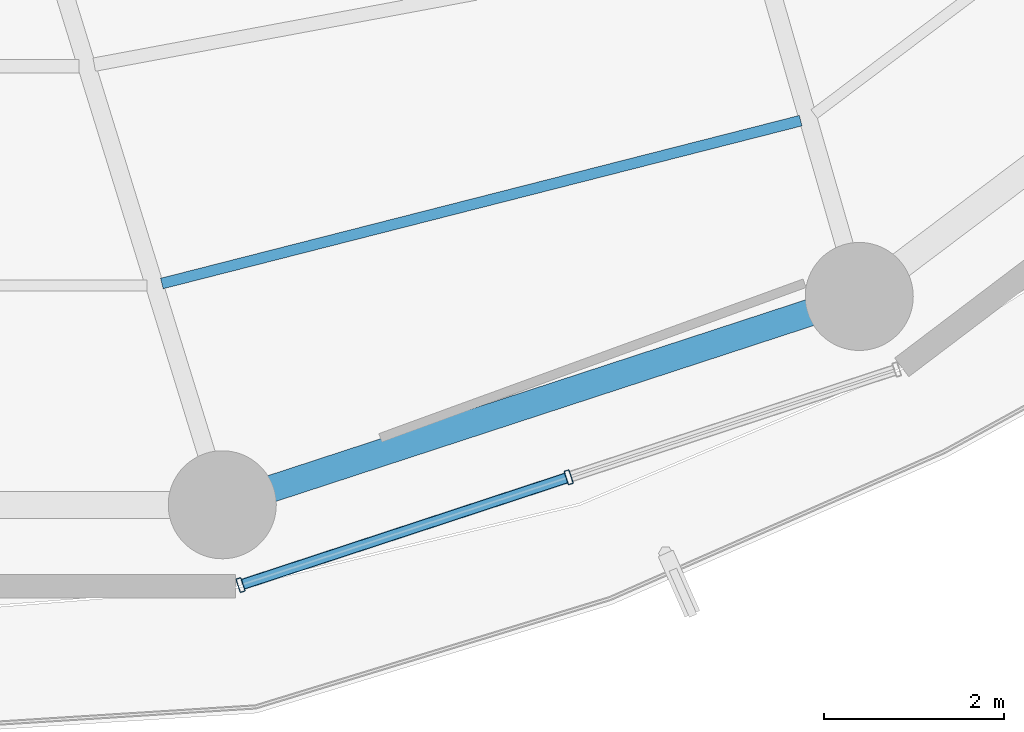
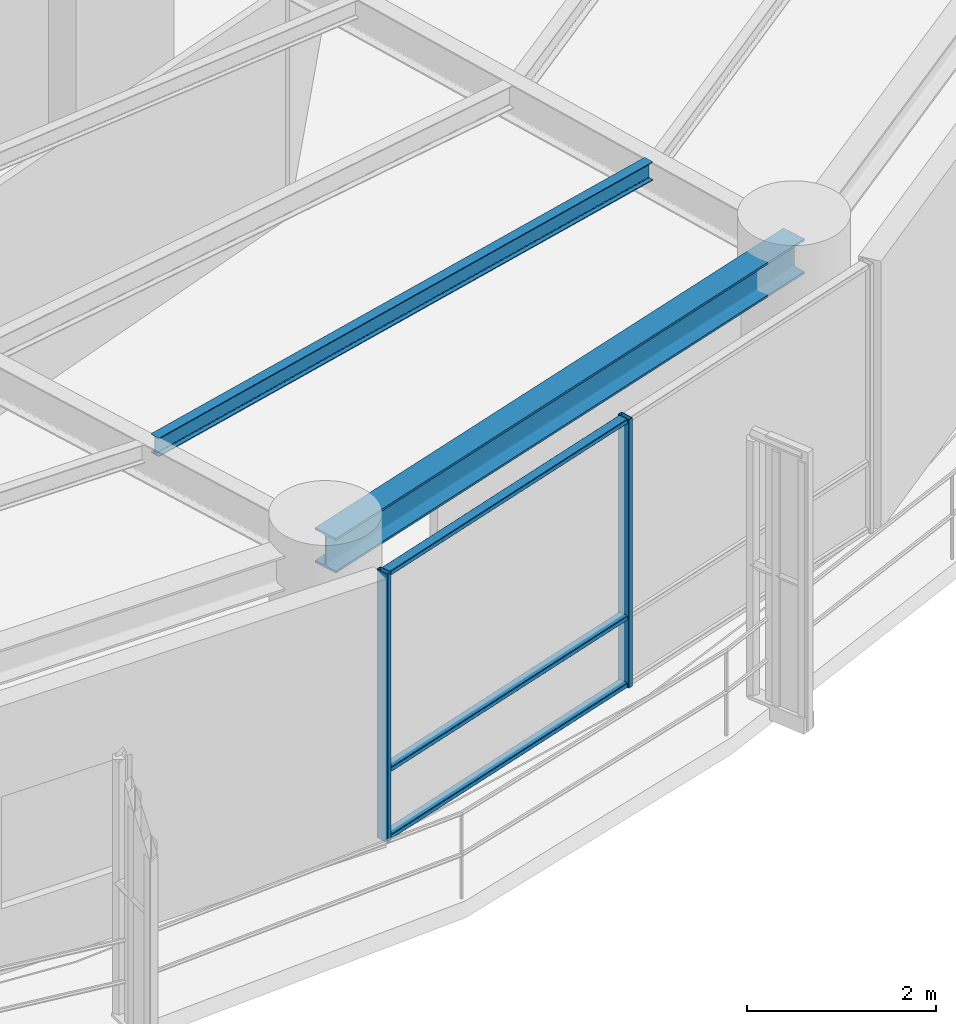
# One storey, part 4 of 28: 5 members, 2 beams, 1 element without a shape of its own.
"""IFC4 building model written with IfcOpenShell, lengths in metres."""

from ifc_helpers import new_model, si_unit, direction, frame, origin, origin_2d, place, context, subcontext, project, spatial, hollow_rectangle, i_section, extrude, material, layer, layer_set, material_profile, profile_set, type_object, element, aggregate, save


model = new_model("IFC4")

# Units and contexts
model_context = context("Model", 3, precision=1e-05, world=origin(), true_north=direction((0.0, 1.0)))
body_context = subcontext(model_context, "Body", "Model", "MODEL_VIEW")
ifc_project = project(units=[si_unit("LENGTHUNIT", "METRE"), si_unit("AREAUNIT", "SQUARE_METRE"), si_unit("VOLUMEUNIT", "CUBIC_METRE"), si_unit("PLANEANGLEUNIT", "RADIAN"), si_unit("MASSUNIT", "GRAM", prefix="KILO")], contexts=[model_context])

# Site, building, storey
site_placement = place(None, origin())
site = spatial("IfcSite", under=ifc_project, at=site_placement, CompositionType="ELEMENT")
building_placement = place(site_placement, origin())
building = spatial("IfcBuilding", under=site, at=building_placement, Name="Kelanora Arch Commons", CompositionType="ELEMENT")
storey_placement = place(building_placement, frame((0.0, 0.0, 176.85009765625)))
storey = spatial("IfcBuildingStorey", under=building, at=storey_placement, Name="L45", CompositionType="ELEMENT", Elevation=176.85009765625)

# Beams
ifc_material_1 = material(Name="Steel S355", Category="steel")
ifc_material_profile_1 = material_profile(ifc_material_1, i_section(OverallWidth=0.1201171875, OverallDepth=0.239990234375, WebThickness=0.006103515625, FlangeThickness=0.009765625, FilletRadius=0.014892578125, at=origin_2d()), Name="IPE240")
ifc_profile_set_1 = profile_set([ifc_material_profile_1], Name="Steel S355")
beam_type_1 = type_object("IfcBeamType", Name="BM-JST-02", PredefinedType="JOIST", material=ifc_profile_set_1)
beam_1_placement = place(storey_placement, frame((77.093994140625, 41.273681640625, 3.369873046875), z_axis=(0.96900232943, 0.247051584815, 0.0), x_axis=(-0.247051584815, 0.96900232943, 0.0)))
element("IfcBeam", 1, at=beam_1_placement, inside=storey, type_object=beam_type_1, Name="Secondary Chord Joist BJC-28 L45", PredefinedType="JOIST", context=body_context, shape_type="SweptSolid", body=[
    extrude(i_section(OverallWidth=0.1201171875, OverallDepth=0.239990234375, WebThickness=0.006103515625, FlangeThickness=0.009765625, FilletRadius=0.014892578125, at=origin_2d()), origin(), (0.0, 0.0, 1.0), 7.32275390625),
])
ifc_material_profile_2 = material_profile(ifc_material_1, i_section(OverallWidth=0.300048828125, OverallDepth=0.449951171875, WebThickness=0.013916015625, FlangeThickness=0.02587890625, FilletRadius=0.027099609375, at=origin_2d()), Name="HEB450")
ifc_profile_set_2 = profile_set([ifc_material_profile_2], Name="Steel S355")
beam_type_2 = type_object("IfcBeamType", Name="BM-SPN-Z3", PredefinedType="SPANDREL", material=ifc_profile_set_2)
beam_2_placement = place(storey_placement, frame((77.7646484375, 38.81591796875, 3.264892578125), z_axis=(0.950461975786, 0.310840847676, 0.0), x_axis=(-0.310840847676, 0.950461975786, 0.0)))
element("IfcBeam", 2, at=beam_2_placement, inside=storey, type_object=beam_type_2, Name="Perimeter Spandrel Beam BS-28 L45", PredefinedType="SPANDREL", context=body_context, shape_type="SweptSolid", body=[
    extrude(i_section(OverallWidth=0.300048828125, OverallDepth=0.449951171875, WebThickness=0.013916015625, FlangeThickness=0.02587890625, FilletRadius=0.027099609375, at=origin_2d()), origin(), (0.0, 0.0, 1.0), 7.444091796875),
])

# Curtain wall, members
ifc_material_2 = material(Name="Terracotta ceramic-fritted low-E glass and aluminium", Category="masonry")
ifc_layer = layer(ifc_material_2, 0.175048828125)
ifc_layer_set = layer_set([ifc_layer], Name="Terracotta ceramic-fritted low-E glass and aluminium")
curtain_wall_type = type_object("IfcCurtainWallType", Name="CW-SYS-02", PredefinedType="NOTDEFINED", material=ifc_layer_set)
curtain_wall_placement = place(storey_placement, origin())
curtain_wall = element("IfcCurtainWall", 3, at=curtain_wall_placement, inside=storey, type_object=curtain_wall_type, Name="Unitised Curtain Wall L45-B14", PredefinedType="NOTDEFINED")
ifc_material_3 = material(Name="Powder-coated aluminium terracotta", Category="masonry")
ifc_material_profile_3 = material_profile(ifc_material_3, hollow_rectangle(XDim=0.159912109375, YDim=0.06005859375, WallThickness=0.0048828125, InnerFilletRadius=0.0048828125, OuterFilletRadius=0.010009765625, at=origin_2d()), Name="CWM160x60")
ifc_profile_set_3 = profile_set([ifc_material_profile_3], Name="Powder-coated aluminium terracotta")
member_type_1 = type_object("IfcMemberType", Name="CWM-STD", PredefinedType="MULLION", material=ifc_profile_set_3)
member_1_placement = place(storey_placement, frame((77.96728515625, 37.924072265625, 0.0), z_axis=(0.0, 0.0, 1.0), x_axis=(-0.312128279571, 0.95003996605, 0.0)))
member_1 = element("IfcMember", 4, at=member_1_placement, type_object=member_type_1, Name="CW-02 mullion 1", PredefinedType="MULLION", context=body_context, shape_type="SweptSolid", body=[
    extrude(hollow_rectangle(XDim=0.159912109375, YDim=0.06005859375, WallThickness=0.0048828125, InnerFilletRadius=0.0048828125, OuterFilletRadius=0.010009765625, at=origin_2d()), origin(), (0.0, 0.0, 1.0), 3.474853515625),
])
member_2_placement = place(storey_placement, frame((81.6123046875, 39.12158203125, 0.0), z_axis=(0.0, 0.0, 1.0), x_axis=(-0.312128279571, 0.95003996605, 0.0)))
member_2 = element("IfcMember", 5, at=member_2_placement, type_object=member_type_1, Name="CW-02 mullion 2", PredefinedType="MULLION", context=body_context, shape_type="SweptSolid", body=[
    extrude(hollow_rectangle(XDim=0.159912109375, YDim=0.06005859375, WallThickness=0.0048828125, InnerFilletRadius=0.0048828125, OuterFilletRadius=0.010009765625, at=origin_2d()), origin(), (0.0, 0.0, 1.0), 3.474853515625),
])
ifc_material_profile_4 = material_profile(ifc_material_3, hollow_rectangle(XDim=0.1201171875, YDim=0.06005859375, WallThickness=0.0048828125, InnerFilletRadius=0.0048828125, OuterFilletRadius=0.010009765625, at=origin_2d()), Name="CWT120x60")
ifc_profile_set_4 = profile_set([ifc_material_profile_4], Name="Powder-coated aluminium terracotta")
member_type_2 = type_object("IfcMemberType", Name="CWT-STD", PredefinedType="USERDEFINED", material=ifc_profile_set_4)
member_3_placement = place(storey_placement, frame((77.99560546875, 37.933349609375, 0.02978515625), z_axis=(0.950051191155, 0.312094111104, 0.0), x_axis=(-0.312094111104, 0.950051191155, 0.0)))
member_3 = element("IfcMember", 6, at=member_3_placement, type_object=member_type_2, Name="CW-02 transom 1.1", ObjectType="TRANSOM", PredefinedType="USERDEFINED", context=body_context, shape_type="SweptSolid", body=[
    extrude(hollow_rectangle(XDim=0.1201171875, YDim=0.06005859375, WallThickness=0.0048828125, InnerFilletRadius=0.0048828125, OuterFilletRadius=0.010009765625, at=origin_2d()), origin(), (0.0, 0.0, 1.0), 3.77685546875),
])
member_4_placement = place(storey_placement, frame((77.99560546875, 37.933349609375, 0.89990234375), z_axis=(0.950051191155, 0.312094111104, 0.0), x_axis=(-0.312094111104, 0.950051191155, 0.0)))
member_4 = element("IfcMember", 7, at=member_4_placement, type_object=member_type_2, Name="CW-02 transom 1.2", ObjectType="TRANSOM", PredefinedType="USERDEFINED", context=body_context, shape_type="SweptSolid", body=[
    extrude(hollow_rectangle(XDim=0.1201171875, YDim=0.06005859375, WallThickness=0.0048828125, InnerFilletRadius=0.0048828125, OuterFilletRadius=0.010009765625, at=origin_2d()), origin(), (0.0, 0.0, 1.0), 3.77685546875),
])
member_5_placement = place(storey_placement, frame((77.99560546875, 37.933349609375, 3.44482421875), z_axis=(0.950051191155, 0.312094111104, 0.0), x_axis=(-0.312094111104, 0.950051191155, 0.0)))
member_5 = element("IfcMember", 8, at=member_5_placement, type_object=member_type_2, Name="CW-02 transom 1.3", ObjectType="TRANSOM", PredefinedType="USERDEFINED", context=body_context, shape_type="SweptSolid", body=[
    extrude(hollow_rectangle(XDim=0.1201171875, YDim=0.06005859375, WallThickness=0.0048828125, InnerFilletRadius=0.0048828125, OuterFilletRadius=0.010009765625, at=origin_2d()), origin(), (0.0, 0.0, 1.0), 3.77685546875),
])
aggregate(curtain_wall, [member_1, member_2, member_3, member_4, member_5])

save(model, "model.ifc")
